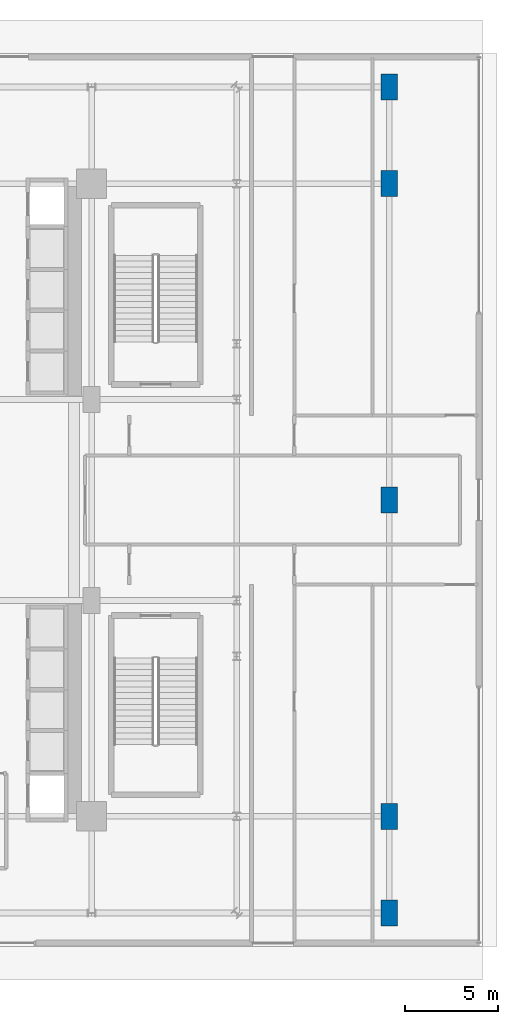
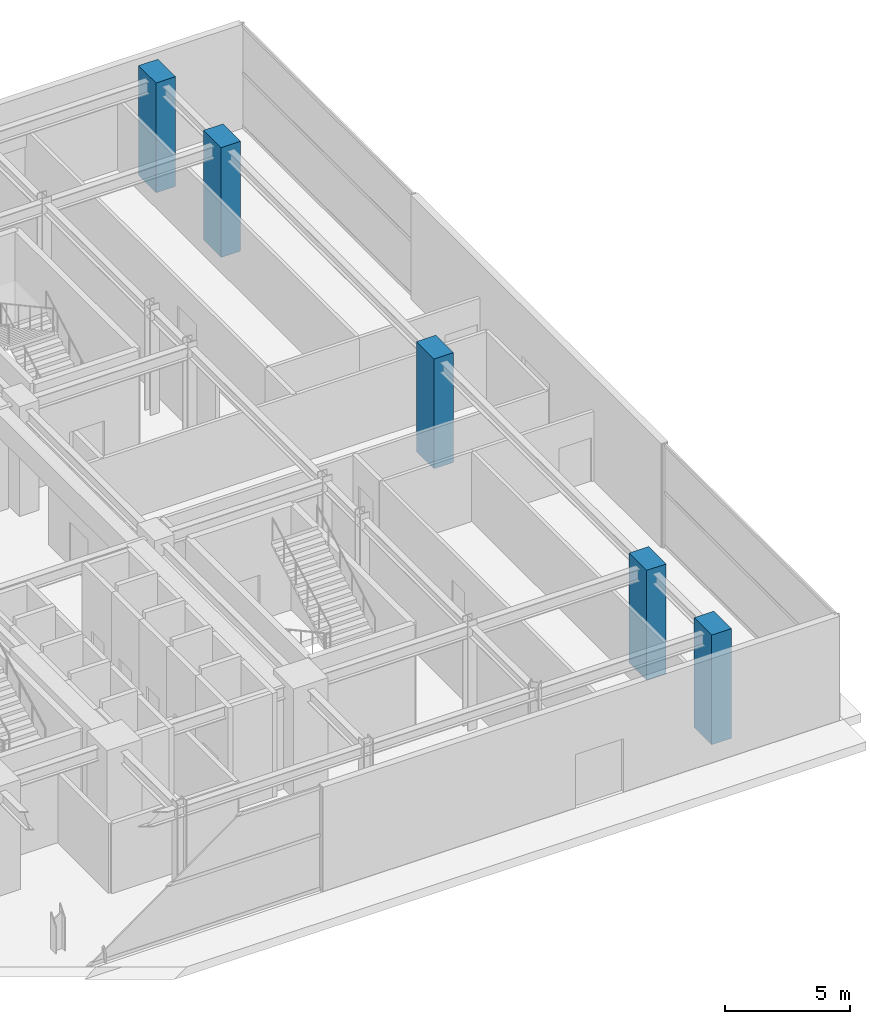
# One storey, part 3 of 29: 5 columns.
"""IFC4 building model written with IfcOpenShell, lengths in metres."""

from ifc_helpers import new_model, si_unit, direction, frame, origin, origin_2d, place, context, subcontext, project, spatial, rectangle, extrude, source, transform, mapped, material, material_profile, profile_set, type_object, element, save


model = new_model("IFC4")

# Units and contexts
model_context = context("Model", 3, precision=1e-05, world=origin(), true_north=direction((0.0, 1.0)))
body_context = subcontext(model_context, "Body", "Model", "MODEL_VIEW")
ifc_project = project(units=[si_unit("LENGTHUNIT", "METRE"), si_unit("AREAUNIT", "SQUARE_METRE"), si_unit("VOLUMEUNIT", "CUBIC_METRE"), si_unit("PLANEANGLEUNIT", "RADIAN"), si_unit("MASSUNIT", "GRAM", prefix="KILO")], contexts=[model_context])

# Site, building, storey
site_placement = place(None, origin())
site = spatial("IfcSite", under=ifc_project, at=site_placement, CompositionType="ELEMENT")
building_placement = place(site_placement, origin())
building = spatial("IfcBuilding", under=site, at=building_placement, Name="Nahalor Promenade Grand Hotel", CompositionType="ELEMENT")
storey_placement = place(building_placement, origin())
storey = spatial("IfcBuildingStorey", under=building, at=storey_placement, Name="L00", CompositionType="ELEMENT", Elevation=0.0)

# Columns
ifc_material = material(Name="Concrete B-60 (C50/60)", Category="concrete")
ifc_material_profile = material_profile(ifc_material, rectangle(XDim=0.9, YDim=1.4, at=origin_2d()), Name="RC 900x1400")
ifc_profile_set = profile_set([ifc_material_profile], Name="Concrete B-60 (C50/60)")
column_type = type_object("IfcColumnType", Name="Col-Pilaster-1400", PredefinedType="PILASTER", material=ifc_profile_set)
shared_shape = source(origin(), body_context, "Body", "SweptSolid", [
    extrude(rectangle(XDim=0.9, YDim=1.4, at=origin_2d()), origin(), (0.0, 0.0, 1.0), 5.35498046875),
])
for number, where, z_axis, x_axis, name in (
    (1, (33.0, -22.199951171875, 0.0), (0.0, 0.0, 1.0), (1.0, 0.0, 0.0), "COL-L00-PC-E0"),
    (2, (33.0, -17.0, 0.0), (0.0, 0.0, 1.0), (1.0, 0.0, 0.0), "COL-L00-PC-E1"),
    (3, (33.0, 0.0, 0.0), (0.0, 0.0, 1.0), (1.0, 0.0, 0.0), "COL-L00-PC-E2"),
    (4, (33.0, 17.0, 0.0), (0.0, 0.0, 1.0), (1.0, 0.0, 0.0), "COL-L00-PC-E3"),
    (5, (33.0, 22.199951171875, 0.0), (0.0, 0.0, 1.0), (1.0, 0.0, 0.0), "COL-L00-PC-E4"),
):
    element("IfcColumn", number, at=place(storey_placement, frame(where, z_axis=z_axis, x_axis=x_axis)), inside=storey, type_object=column_type, Name=name, PredefinedType="PILASTER", context=body_context, shape_type="MappedRepresentation", body=[
        mapped(shared_shape, transform((0.0, 0.0, 0.0), scale=1.0)),
    ])

save(model, "model.ifc")
